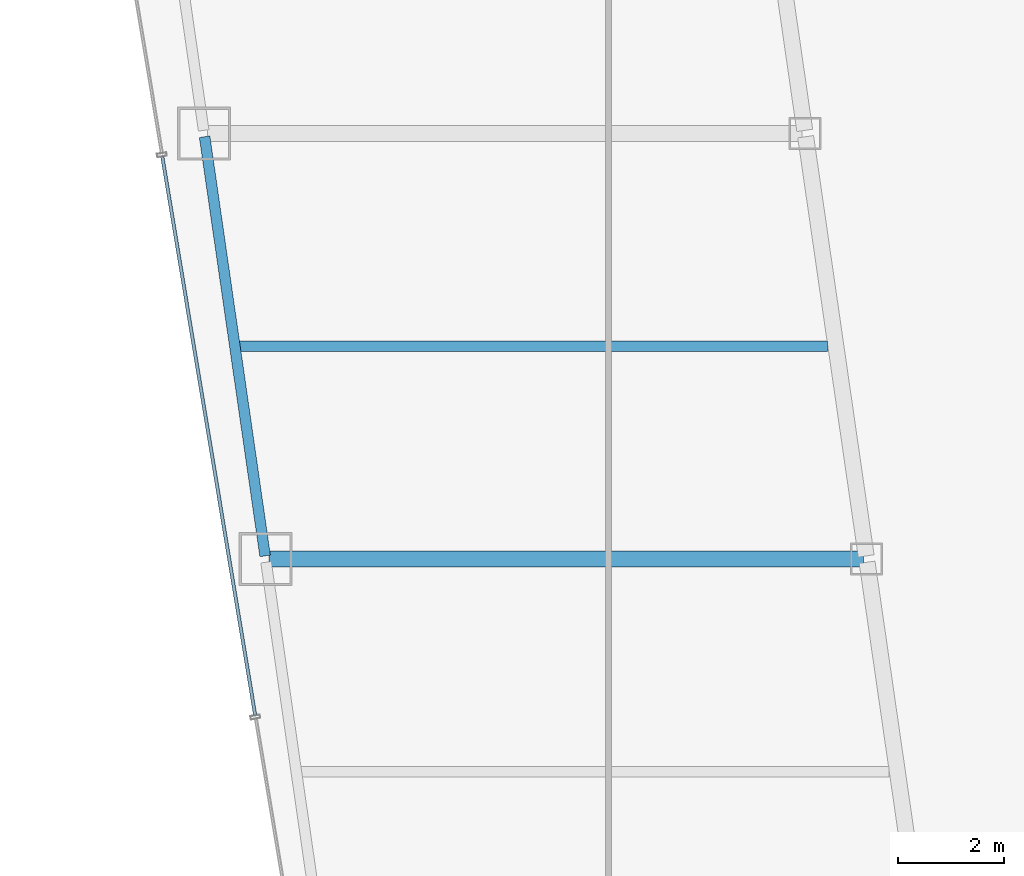
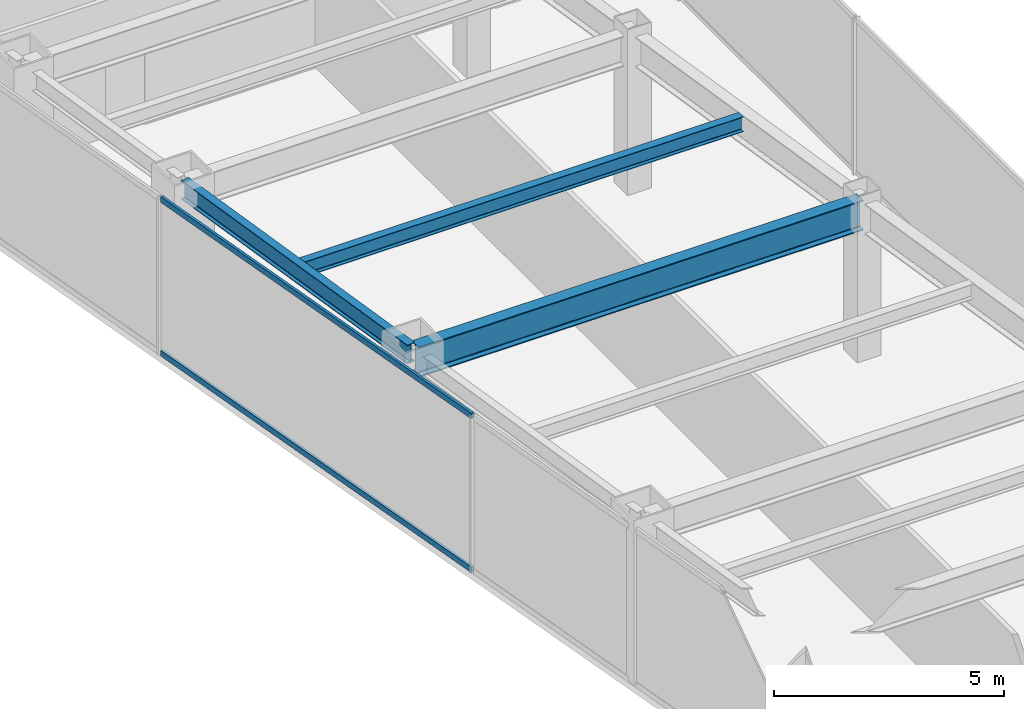
# One storey, part 8 of 37: 3 beams, 2 members, 1 element without a shape of its own.
"""IFC4 building model written with IfcOpenShell, lengths in metres."""

from ifc_helpers import new_model, si_unit, direction, frame, origin, origin_2d, place, context, subcontext, project, spatial, hollow_rectangle, i_section, extrude, material, material_profile, profile_set, type_object, element, aggregate, save


model = new_model("IFC4")

# Units and contexts
model_context = context("Model", 3, precision=1e-05, world=origin(), true_north=direction((0.0, 1.0)))
body_context = subcontext(model_context, "Body", "Model", "MODEL_VIEW")
ifc_project = project(units=[si_unit("LENGTHUNIT", "METRE"), si_unit("AREAUNIT", "SQUARE_METRE"), si_unit("VOLUMEUNIT", "CUBIC_METRE"), si_unit("PLANEANGLEUNIT", "RADIAN"), si_unit("MASSUNIT", "GRAM", prefix="KILO")], contexts=[model_context])

# Site, building, storey
site_placement = place(None, origin())
site = spatial("IfcSite", under=ifc_project, at=site_placement, CompositionType="ELEMENT")
building_placement = place(site_placement, origin())
building = spatial("IfcBuilding", under=site, at=building_placement, Name="Saevonmaru Cultural Tower", CompositionType="ELEMENT")
storey_placement = place(building_placement, frame((0.0, 0.0, 110.39990234375)))
storey = spatial("IfcBuildingStorey", under=building, at=storey_placement, Name="L23", CompositionType="ELEMENT", Elevation=110.39990234375)

# Beams
ifc_material_1 = material(Name="Steel SM420", Category="steel")
ifc_material_profile_1 = material_profile(ifc_material_1, i_section(OverallWidth=0.300048828125, OverallDepth=0.800048828125, WebThickness=0.013916015625, FlangeThickness=0.02587890625, FilletRadius=0.028076171875, at=origin_2d()), Name="H-800x300x14x26")
ifc_profile_set_1 = profile_set([ifc_material_profile_1], Name="Steel SM420")
beam_type_1 = type_object("IfcBeamType", Name="BM-G-H800", PredefinedType="BEAM", material=ifc_profile_set_1)
beam_1_placement = place(storey_placement, frame((9.531982421875, 24.0, 3.75), z_axis=(1.0, 0.0, 0.0), x_axis=(0.0, 1.0, 0.0)))
element("IfcBeam", 1, at=beam_1_placement, inside=storey, type_object=beam_type_1, Name="L23 West Wing Transverse Girder 3", PredefinedType="BEAM", context=body_context, shape_type="SweptSolid", body=[
    extrude(i_section(OverallWidth=0.300048828125, OverallDepth=0.800048828125, WebThickness=0.013916015625, FlangeThickness=0.02587890625, FilletRadius=0.028076171875, at=origin_2d()), origin(), (0.0, 0.0, 1.0), 11.179931640625),
])
ifc_material_2 = material(Name="Steel SM355", Category="steel")
ifc_material_profile_2 = material_profile(ifc_material_2, i_section(OverallWidth=0.199951171875, OverallDepth=0.39990234375, WebThickness=0.008056640625, FlangeThickness=0.012939453125, FilletRadius=0.01611328125, at=origin_2d()), Name="H-400x200x8x13")
ifc_profile_set_2 = profile_set([ifc_material_profile_2], Name="Steel SM355")
beam_type_2 = type_object("IfcBeamType", Name="BM-J-H400", PredefinedType="JOIST", material=ifc_profile_set_2)
beam_2_placement = place(storey_placement, frame((8.95458984375, 28.0, 3.9501953125), z_axis=(1.0, 0.0, 0.0), x_axis=(0.0, 1.0, 0.0)))
element("IfcBeam", 2, at=beam_2_placement, inside=storey, type_object=beam_type_2, Name="L23 West Wing Floor Joist 3", PredefinedType="JOIST", context=body_context, shape_type="SweptSolid", body=[
    extrude(i_section(OverallWidth=0.199951171875, OverallDepth=0.39990234375, WebThickness=0.008056640625, FlangeThickness=0.012939453125, FilletRadius=0.01611328125, at=origin_2d()), origin(), (0.0, 0.0, 1.0), 11.08203125),
])
ifc_material_profile_3 = material_profile(ifc_material_2, i_section(OverallWidth=0.199951171875, OverallDepth=0.5, WebThickness=0.010009765625, FlangeThickness=0.01611328125, FilletRadius=0.02001953125, at=origin_2d()), Name="H-500x200x10x16")
ifc_profile_set_3 = profile_set([ifc_material_profile_3], Name="Steel SM355")
beam_type_3 = type_object("IfcBeamType", Name="BM-SP-H500", PredefinedType="SPANDREL", material=ifc_profile_set_3)
beam_3_placement = place(storey_placement, frame((9.46337890625, 24.059326171875, 3.900146484375), z_axis=(-0.142871999001, 0.989741174197, 0.0), x_axis=(-0.989741174197, -0.142871999001, 0.0)))
element("IfcBeam", 3, at=beam_3_placement, inside=storey, type_object=beam_type_3, Name="L23 West Splayed Spandrel 3", PredefinedType="SPANDREL", context=body_context, shape_type="SweptSolid", body=[
    extrude(i_section(OverallWidth=0.199951171875, OverallDepth=0.5, WebThickness=0.010009765625, FlangeThickness=0.01611328125, FilletRadius=0.02001953125, at=origin_2d()), origin(), (0.0, 0.0, 1.0), 7.963134765625),
])

# Curtain wall, members
ifc_material_3 = material(Name="Satin Bronze Anodised Aluminium", Category="aluminium")
curtain_wall_type = type_object("IfcCurtainWallType", Name="CW-TYP-A", PredefinedType="NOTDEFINED", material=ifc_material_3)
curtain_wall_placement = place(storey_placement, origin())
curtain_wall = element("IfcCurtainWall", 4, at=curtain_wall_placement, inside=storey, type_object=curtain_wall_type, Name="L23 Unitised Curtain Wall E12", PredefinedType="NOTDEFINED")
ifc_material_profile_4 = material_profile(ifc_material_3, hollow_rectangle(XDim=0.06494140625, YDim=0.14990234375, WallThickness=0.00390625, at=origin_2d()), Name="ALU-TRAN-150x65x4")
ifc_profile_set_4 = profile_set([ifc_material_profile_4], Name="Satin Bronze Anodised Aluminium")
member_type = type_object("IfcMemberType", Name="TR-CW-150x65", PredefinedType="USERDEFINED", material=ifc_profile_set_4)
member_1_placement = place(storey_placement, frame((7.52978515625, 31.56787109375, 0.03271484375), z_axis=(0.163993787386, -0.98646137162, 0.0), x_axis=(0.98646137162, 0.163993787386, 0.0)))
member_1 = element("IfcMember", 5, at=member_1_placement, type_object=member_type, Name="CW-TW-L23-E12 transom 3.1", ObjectType="TRANSOM", PredefinedType="USERDEFINED", context=body_context, shape_type="SweptSolid", body=[
    extrude(hollow_rectangle(XDim=0.06494140625, YDim=0.14990234375, WallThickness=0.00390625, at=origin_2d()), origin(), (0.0, 0.0, 1.0), 10.650390625),
])
member_2_placement = place(storey_placement, frame((7.52978515625, 31.56787109375, 4.11767578125), z_axis=(0.163993787386, -0.98646137162, 0.0), x_axis=(0.98646137162, 0.163993787386, 0.0)))
member_2 = element("IfcMember", 6, at=member_2_placement, type_object=member_type, Name="CW-TW-L23-E12 transom 3.2", ObjectType="TRANSOM", PredefinedType="USERDEFINED", context=body_context, shape_type="SweptSolid", body=[
    extrude(hollow_rectangle(XDim=0.06494140625, YDim=0.14990234375, WallThickness=0.00390625, at=origin_2d()), origin(), (0.0, 0.0, 1.0), 10.650390625),
])
aggregate(curtain_wall, [member_1, member_2])

save(model, "model.ifc")
